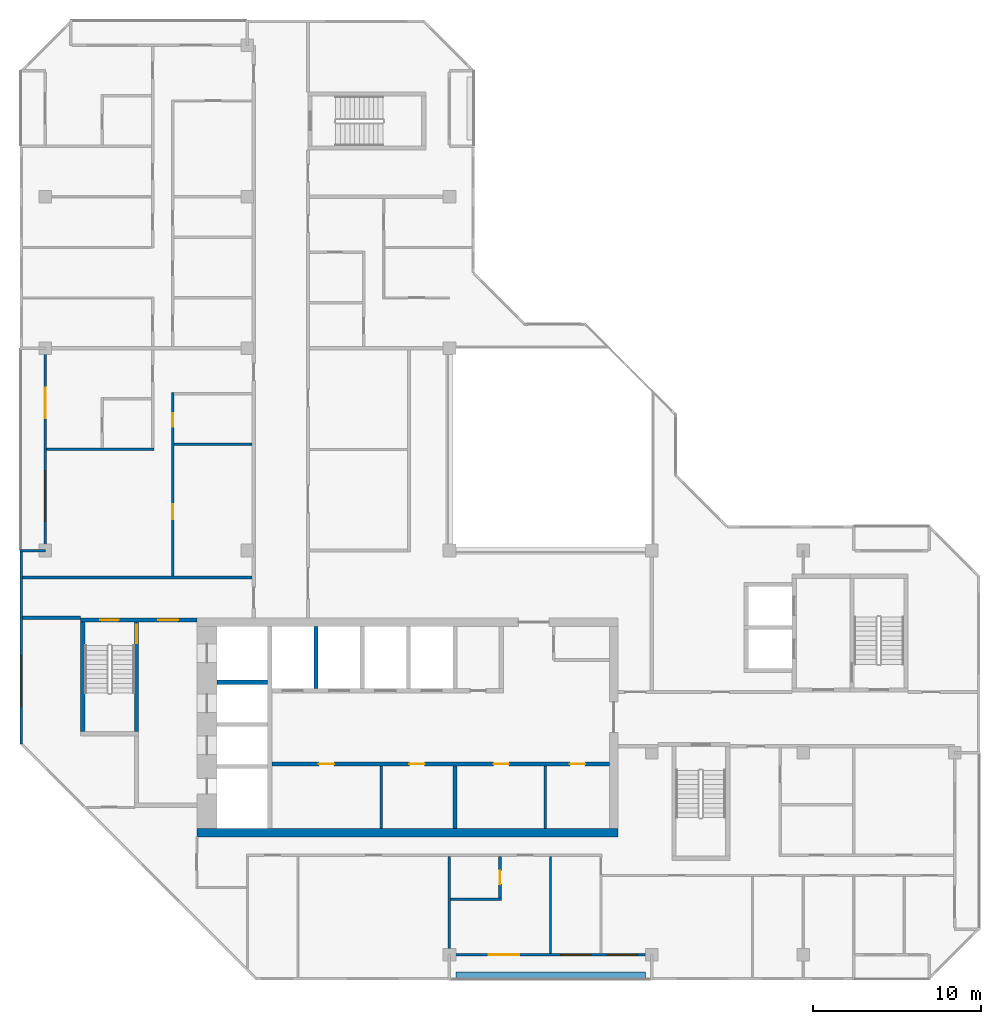
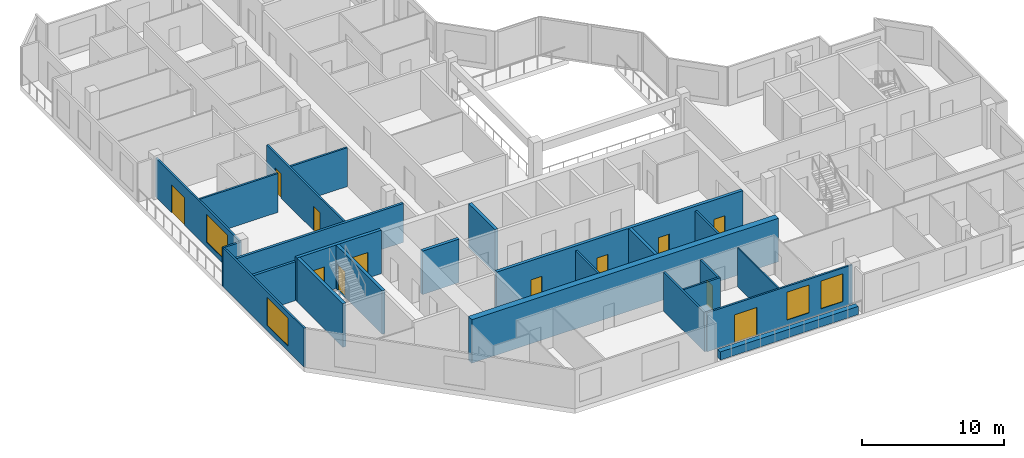
# One storey, part 4 of 12: 24 walls, 12 doors, 4 windows, 16 openings.
"""IFC4 building model written with IfcOpenShell, lengths in metres."""

from ifc_helpers import new_model, si_unit, direction, frame, frame_2d, origin, place, context, subcontext, project, spatial, rectangle, extrude, material, layer, layer_set, type_object, element, fill, save


model = new_model("IFC4")

# Units and contexts
model_context = context("Model", 3, precision=1e-05, world=origin(), true_north=direction((0.0, 1.0)))
body_context = subcontext(model_context, "Body", "Model", "MODEL_VIEW")
ifc_project = project(units=[si_unit("LENGTHUNIT", "METRE"), si_unit("AREAUNIT", "SQUARE_METRE"), si_unit("VOLUMEUNIT", "CUBIC_METRE"), si_unit("PLANEANGLEUNIT", "RADIAN"), si_unit("MASSUNIT", "GRAM", prefix="KILO")], contexts=[model_context])

# Site, building, storey
site_placement = place(None, origin())
site = spatial("IfcSite", under=ifc_project, at=site_placement, CompositionType="ELEMENT")
building_placement = place(site_placement, origin())
building = spatial("IfcBuilding", under=site, at=building_placement, Name="Chenar Terraces", CompositionType="ELEMENT")
storey_placement = place(building_placement, frame((0.0, 0.0, 342.64990234375)))
storey = spatial("IfcBuildingStorey", under=building, at=storey_placement, Name="L79", CompositionType="ELEMENT", Elevation=342.64990234375)

# Walls
ifc_material_1 = material(Name="Gypsum board on steel studs", Category="steel")
ifc_layer_1 = layer(ifc_material_1, 0.14990234375)
ifc_layer_set_1 = layer_set([ifc_layer_1], Name="Gypsum board on steel studs")
wall_type_1 = type_object("IfcWallType", Name="Core partition 150 gypsum board", PredefinedType="PARTITIONING", material=ifc_layer_set_1)
for number, where, z_axis, x_axis, name in (
    (1, (19.949951171875, 7.5, 0.0), (0.0, 0.0, 1.0), (0.0, 1.0, 0.0), "Core partition CP1 freed bay wall"),
    (2, (29.699951171875, 7.5, 0.0), (0.0, 0.0, 1.0), (0.0, 1.0, 0.0), "Core partition CP1 freed bay wall"),
):
    element("IfcWall", number, at=place(storey_placement, frame(where, z_axis=z_axis, x_axis=x_axis)), inside=storey, type_object=wall_type_1, Name=name, PredefinedType="PARTITIONING", context=body_context, shape_type="SweptSolid", body=[
        extrude(rectangle(XDim=3.699951171875, YDim=0.14990234375, at=frame_2d((1.85009765625, 0.0))), origin(), (0.0, 0.0, 1.0), 3.35009765625),
    ])

# Wall, openings, doors
ifc_material_2 = material(Name="Concrete C50/60", Category="concrete")
ifc_layer_2 = layer(ifc_material_2, 0.25)
ifc_layer_set_2 = layer_set([ifc_layer_2], Name="Concrete C50/60")
wall_type_2 = type_object("IfcWallType", Name="Core wall 250 Concrete C50/60", PredefinedType="SHEAR", material=ifc_layer_set_2)
wall_1_placement = place(storey_placement, frame((13.449951171875, 11.324951171875, 0.0), z_axis=(0.0, 0.0, 1.0), x_axis=(1.0, 0.0, 0.0)))
wall_1 = element("IfcWall", 3, at=wall_1_placement, inside=storey, type_object=wall_type_2, Name="Core wall SF L79", PredefinedType="SHEAR", context=body_context, shape_type="SweptSolid", body=[
    extrude(rectangle(XDim=20.050048828125, YDim=0.25, at=frame_2d((10.02490234375, 0.0))), origin(), (0.0, 0.0, 1.0), 3.75),
])
opening_1_placement = place(wall_1_placement, frame((2.800048828125, 0.0, 0.0)))
opening_1 = element("IfcOpeningElement", 4, at=opening_1_placement, cuts=wall_1, Name="Opening DL79-C12", PredefinedType="OPENING", context=body_context, shape_type="SweptSolid", body=[
    extrude(rectangle(XDim=0.89990234375, YDim=2.10009765625, at=frame_2d((0.449951171875, 1.050048828125))), frame((0.0, 0.135009765625, 0.0), z_axis=(0.0, -1.0, 0.0), x_axis=(1.0, 0.0, 0.0)), (0.0, 0.0, 1.0), 0.27001953125),
])
opening_2_placement = place(wall_1_placement, frame((8.175048828125, 0.0, 0.0)))
opening_2 = element("IfcOpeningElement", 5, at=opening_2_placement, cuts=wall_1, Name="Opening DL79-C13", PredefinedType="OPENING", context=body_context, shape_type="SweptSolid", body=[
    extrude(rectangle(XDim=0.89990234375, YDim=2.10009765625, at=frame_2d((0.449951171875, 1.050048828125))), frame((0.0, 0.135009765625, 0.0), z_axis=(0.0, -1.0, 0.0), x_axis=(1.0, 0.0, 0.0)), (0.0, 0.0, 1.0), 0.27001953125),
])
opening_3_placement = place(wall_1_placement, frame((13.175048828125, 0.0, 0.0)))
opening_3 = element("IfcOpeningElement", 6, at=opening_3_placement, cuts=wall_1, Name="Opening DL79-C14", PredefinedType="OPENING", context=body_context, shape_type="SweptSolid", body=[
    extrude(rectangle(XDim=0.89990234375, YDim=2.10009765625, at=frame_2d((0.449951171875, 1.050048828125))), frame((0.0, 0.135009765625, 0.0), z_axis=(0.0, -1.0, 0.0), x_axis=(1.0, 0.0, 0.0)), (0.0, 0.0, 1.0), 0.27001953125),
])
opening_4_placement = place(wall_1_placement, frame((17.699951171875, 0.0, 0.0)))
opening_4 = element("IfcOpeningElement", 7, at=opening_4_placement, cuts=wall_1, Name="Opening DL79-C15", PredefinedType="OPENING", context=body_context, shape_type="SweptSolid", body=[
    extrude(rectangle(XDim=0.89990234375, YDim=2.10009765625, at=frame_2d((0.449951171875, 1.050048828125))), frame((0.0, 0.135009765625, 0.0), z_axis=(0.0, -1.0, 0.0), x_axis=(1.0, 0.0, 0.0)), (0.0, 0.0, 1.0), 0.27001953125),
])
ifc_material_3 = material(Name="Steel-framed fire-resisting door leaf", Category="steel")
door_type_1 = type_object("IfcDoorType", Name="Riser fire door FD60 900 x 2100", OperationType="SINGLE_SWING_LEFT", PredefinedType="DOOR", material=ifc_material_3)
door_1_placement = place(opening_1_placement, frame((0.89990234375, 0.0, 0.0), z_axis=(0.0, 0.0, 1.0), x_axis=(-1.0, 0.0, 0.0)))
door_1 = element("IfcDoor", 8, at=door_1_placement, inside=storey, type_object=door_type_1, Name="Core room door DL79-C12", OperationType="SINGLE_SWING_LEFT", OverallHeight=2.10009765625, OverallWidth=0.89990234375, PredefinedType="DOOR", context=body_context, shape_type="SweptSolid", body=[
    extrude(rectangle(XDim=0.89990234375, YDim=2.10009765625, at=frame_2d((0.449951171875, 1.050048828125))), frame((0.0, 0.02490234375, 0.0), z_axis=(0.0, -1.0, 0.0), x_axis=(1.0, 0.0, 0.0)), (0.0, 0.0, 1.0), 0.050048828125),
])
fill(opening_1, door_1)
door_2_placement = place(opening_2_placement, frame((0.89990234375, 0.0, 0.0), z_axis=(0.0, 0.0, 1.0), x_axis=(-1.0, 0.0, 0.0)))
door_2 = element("IfcDoor", 9, at=door_2_placement, inside=storey, type_object=door_type_1, Name="Core room door DL79-C13", OperationType="SINGLE_SWING_LEFT", OverallHeight=2.10009765625, OverallWidth=0.89990234375, PredefinedType="DOOR", context=body_context, shape_type="SweptSolid", body=[
    extrude(rectangle(XDim=0.89990234375, YDim=2.10009765625, at=frame_2d((0.449951171875, 1.050048828125))), frame((0.0, 0.02490234375, 0.0), z_axis=(0.0, -1.0, 0.0), x_axis=(1.0, 0.0, 0.0)), (0.0, 0.0, 1.0), 0.050048828125),
])
fill(opening_2, door_2)
door_3_placement = place(opening_3_placement, frame((0.89990234375, 0.0, 0.0), z_axis=(0.0, 0.0, 1.0), x_axis=(-1.0, 0.0, 0.0)))
door_3 = element("IfcDoor", 10, at=door_3_placement, inside=storey, type_object=door_type_1, Name="Core room door DL79-C14", OperationType="SINGLE_SWING_LEFT", OverallHeight=2.10009765625, OverallWidth=0.89990234375, PredefinedType="DOOR", context=body_context, shape_type="SweptSolid", body=[
    extrude(rectangle(XDim=0.89990234375, YDim=2.10009765625, at=frame_2d((0.449951171875, 1.050048828125))), frame((0.0, 0.02490234375, 0.0), z_axis=(0.0, -1.0, 0.0), x_axis=(1.0, 0.0, 0.0)), (0.0, 0.0, 1.0), 0.050048828125),
])
fill(opening_3, door_3)
door_4_placement = place(opening_4_placement, frame((0.89990234375, 0.0, 0.0), z_axis=(0.0, 0.0, 1.0), x_axis=(-1.0, 0.0, 0.0)))
door_4 = element("IfcDoor", 11, at=door_4_placement, inside=storey, type_object=door_type_1, Name="Core room door DL79-C15", OperationType="SINGLE_SWING_RIGHT", OverallHeight=2.10009765625, OverallWidth=0.89990234375, PredefinedType="DOOR", context=body_context, shape_type="SweptSolid", body=[
    extrude(rectangle(XDim=0.89990234375, YDim=2.10009765625, at=frame_2d((0.449951171875, 1.050048828125))), frame((0.0, 0.02490234375, 0.0), z_axis=(0.0, -1.0, 0.0), x_axis=(1.0, 0.0, 0.0)), (0.0, 0.0, 1.0), 0.050048828125),
])
fill(opening_4, door_4)

# Walls
wall_2_placement = place(storey_placement, frame((10.199951171875, 16.175048828125, 0.0), z_axis=(0.0, 0.0, 1.0), x_axis=(1.0, 0.0, 0.0)))
element("IfcWall", 12, at=wall_2_placement, inside=storey, type_object=wall_type_2, Name="Core wall HW2 L79", PredefinedType="SHEAR", context=body_context, shape_type="SweptSolid", body=[
    extrude(rectangle(XDim=3.0, YDim=0.25, at=frame_2d((1.5, 0.0))), origin(), (0.0, 0.0, 1.0), 3.75),
])
for number, where, z_axis, x_axis, name in (
    (13, (24.324951171875, 7.5, 0.0), (0.0, 0.0, 1.0), (0.0, 1.0, 0.0), "Core wall SS3 L79"),
    (14, (16.074951171875, 15.800048828125, 0.0), (0.0, 0.0, 1.0), (0.0, 1.0, 0.0), "Core wall NS0 L79"),
):
    element("IfcWall", number, at=place(storey_placement, frame(where, z_axis=z_axis, x_axis=x_axis)), inside=storey, type_object=wall_type_2, Name=name, PredefinedType="SHEAR", context=body_context, shape_type="SweptSolid", body=[
        extrude(rectangle(XDim=3.699951171875, YDim=0.25, at=frame_2d((1.85009765625, 0.0))), origin(), (0.0, 0.0, 1.0), 3.75),
    ])

# Wall, openings, doors
wall_3_placement = place(storey_placement, frame((2.10009765625, 19.875, 0.0), z_axis=(0.0, 0.0, 1.0), x_axis=(1.0, 0.0, 0.0)))
wall_3 = element("IfcWall", 15, at=wall_3_placement, inside=storey, type_object=wall_type_2, Name="Core wall A_N L79", PredefinedType="SHEAR", context=body_context, shape_type="SweptSolid", body=[
    extrude(rectangle(XDim=6.89990234375, YDim=0.25, at=frame_2d((3.449951171875, 0.0))), origin(), (0.0, 0.0, 1.0), 3.75),
])
opening_5_placement = place(wall_3_placement, frame((1.175048828125, 0.0, 0.0)))
opening_5 = element("IfcOpeningElement", 16, at=opening_5_placement, cuts=wall_3, Name="Opening DL79-C5", PredefinedType="OPENING", context=body_context, shape_type="SweptSolid", body=[
    extrude(rectangle(XDim=1.10009765625, YDim=2.199951171875, at=frame_2d((0.550048828125, 1.10009765625))), frame((0.0, 0.135009765625, 0.0), z_axis=(0.0, -1.0, 0.0), x_axis=(1.0, 0.0, 0.0)), (0.0, 0.0, 1.0), 0.27001953125),
])
opening_6_placement = place(wall_3_placement, frame((4.60009765625, 0.0, 0.0)))
opening_6 = element("IfcOpeningElement", 17, at=opening_6_placement, cuts=wall_3, Name="Opening DL79-C6", PredefinedType="OPENING", context=body_context, shape_type="SweptSolid", body=[
    extrude(rectangle(XDim=1.199951171875, YDim=2.199951171875, at=frame_2d((0.60009765625, 1.10009765625))), frame((0.0, 0.135009765625, 0.0), z_axis=(0.0, -1.0, 0.0), x_axis=(1.0, 0.0, 0.0)), (0.0, 0.0, 1.0), 0.27001953125),
])
ifc_material_4 = material(Name="Steel-framed fire-resisting door leaf", Category="steel")
door_type_2 = type_object("IfcDoorType", Name="Lobby fire door FD60 1200 x 2200", OperationType="SINGLE_SWING_LEFT", PredefinedType="DOOR", material=ifc_material_4)
door_5_placement = place(opening_6_placement, frame((1.199951171875, 0.0, 0.0), z_axis=(0.0, 0.0, 1.0), x_axis=(-1.0, 0.0, 0.0)))
door_5 = element("IfcDoor", 18, at=door_5_placement, inside=storey, type_object=door_type_2, Name="Core door DL79-C6", OperationType="SINGLE_SWING_LEFT", OverallHeight=2.199951171875, OverallWidth=1.199951171875, PredefinedType="DOOR", context=body_context, shape_type="SweptSolid", body=[
    extrude(rectangle(XDim=1.199951171875, YDim=2.199951171875, at=frame_2d((0.60009765625, 1.10009765625))), frame((0.0, 0.02490234375, 0.0), z_axis=(0.0, -1.0, 0.0), x_axis=(1.0, 0.0, 0.0)), (0.0, 0.0, 1.0), 0.050048828125),
])
fill(opening_6, door_5)
ifc_material_5 = material(Name="Steel-framed fire-resisting door leaf", Category="steel")
door_type_3 = type_object("IfcDoorType", Name="Stair fire door FD60 1100 x 2200", OperationType="SINGLE_SWING_LEFT", PredefinedType="DOOR", material=ifc_material_5)
door_6_placement = place(opening_5_placement, origin())
door_6 = element("IfcDoor", 19, at=door_6_placement, inside=storey, type_object=door_type_3, Name="Stair door DL79-C5", OperationType="SINGLE_SWING_LEFT", OverallHeight=2.199951171875, OverallWidth=1.10009765625, PredefinedType="DOOR", context=body_context, shape_type="SweptSolid", body=[
    extrude(rectangle(XDim=1.10009765625, YDim=2.199951171875, at=frame_2d((0.550048828125, 1.10009765625))), frame((0.0, 0.02490234375, 0.0), z_axis=(0.0, -1.0, 0.0), x_axis=(1.0, 0.0, 0.0)), (0.0, 0.0, 1.0), 0.050048828125),
])
fill(opening_5, door_6)

# Wall
wall_4_placement = place(storey_placement, frame((2.22509765625, 13.25, 0.0), z_axis=(0.0, 0.0, 1.0), x_axis=(0.0, 1.0, 0.0)))
element("IfcWall", 20, at=wall_4_placement, inside=storey, type_object=wall_type_2, Name="Core wall ST1_W L79", PredefinedType="SHEAR", context=body_context, shape_type="SweptSolid", body=[
    extrude(rectangle(XDim=6.5, YDim=0.25, at=frame_2d((3.25, 0.0))), origin(), (0.0, 0.0, 1.0), 3.75),
])

# Wall, opening, door
wall_5_placement = place(storey_placement, frame((5.425048828125, 13.25, 0.0), z_axis=(0.0, 0.0, 1.0), x_axis=(0.0, 1.0, 0.0)))
wall_5 = element("IfcWall", 21, at=wall_5_placement, inside=storey, type_object=wall_type_2, Name="Core wall ST1_E L79", PredefinedType="SHEAR", context=body_context, shape_type="SweptSolid", body=[
    extrude(rectangle(XDim=6.5, YDim=0.25, at=frame_2d((3.25, 0.0))), origin(), (0.0, 0.0, 1.0), 3.75),
])
opening_7_placement = place(wall_5_placement, frame((5.25, 0.0, 0.0)))
opening_7 = element("IfcOpeningElement", 22, at=opening_7_placement, cuts=wall_5, Name="Opening DL79-C3", PredefinedType="OPENING", context=body_context, shape_type="SweptSolid", body=[
    extrude(rectangle(XDim=1.10009765625, YDim=2.199951171875, at=frame_2d((0.550048828125, 1.10009765625))), frame((0.0, 0.135009765625, 0.0), z_axis=(0.0, -1.0, 0.0), x_axis=(1.0, 0.0, 0.0)), (0.0, 0.0, 1.0), 0.27001953125),
])
door_7_placement = place(opening_7_placement, origin())
door_7 = element("IfcDoor", 23, at=door_7_placement, inside=storey, type_object=door_type_3, Name="Stair door DL79-C3", OperationType="SINGLE_SWING_RIGHT", OverallHeight=2.199951171875, OverallWidth=1.10009765625, PredefinedType="DOOR", context=body_context, shape_type="SweptSolid", body=[
    extrude(rectangle(XDim=1.10009765625, YDim=2.199951171875, at=frame_2d((0.550048828125, 1.10009765625))), frame((0.0, 0.02490234375, 0.0), z_axis=(0.0, -1.0, 0.0), x_axis=(1.0, 0.0, 0.0)), (0.0, 0.0, 1.0), 0.050048828125),
])
fill(opening_7, door_7)

# Walls
ifc_material_6 = material(Name="Concrete C50/60", Category="concrete")
ifc_layer_3 = layer(ifc_material_6, 0.5)
ifc_layer_set_3 = layer_set([ifc_layer_3], Name="Concrete C50/60")
wall_type_3 = type_object("IfcWallType", Name="Core wall 500 Concrete C50/60", PredefinedType="SHEAR", material=ifc_layer_set_3)
wall_6_placement = place(storey_placement, frame((9.0, 7.25, 0.0), z_axis=(0.0, 0.0, 1.0), x_axis=(1.0, 0.0, 0.0)))
element("IfcWall", 24, at=wall_6_placement, inside=storey, type_object=wall_type_3, Name="Core wall S L79", PredefinedType="SHEAR", context=body_context, shape_type="SweptSolid", body=[
    extrude(rectangle(XDim=25.0, YDim=0.5, at=frame_2d((12.5, 0.0))), origin(), (0.0, 0.0, 1.0), 3.75),
])
ifc_material_7 = material(Name="Gypsum board on steel studs with fire boards", Category="steel")
ifc_layer_4 = layer(ifc_material_7, 0.199951171875)
ifc_layer_set_4 = layer_set([ifc_layer_4], Name="Gypsum board on steel studs with fire boards")
wall_type_4 = type_object("IfcWallType", Name="Corridor wall 200", PredefinedType="PARTITIONING", material=ifc_layer_set_4)
wall_7_placement = place(storey_placement, frame((-1.35009765625, 20.0, 0.0), z_axis=(0.0, 0.0, 1.0), x_axis=(1.0, 0.0, 0.0)))
element("IfcWall", 25, at=wall_7_placement, inside=storey, type_object=wall_type_4, Name="Partition L79-001", PredefinedType="PARTITIONING", context=body_context, shape_type="SweptSolid", body=[
    extrude(rectangle(XDim=3.4501953125, YDim=0.199951171875, at=frame_2d((1.72509765625, 0.0))), origin(), (0.0, 0.0, 1.0), 3.35009765625),
])
wall_8_placement = place(storey_placement, frame((-1.35009765625, 22.39990234375, 0.0), z_axis=(0.0, 0.0, 1.0), x_axis=(1.0, 0.0, 0.0)))
element("IfcWall", 26, at=wall_8_placement, inside=storey, type_object=wall_type_4, Name="Partition L79-002", PredefinedType="PARTITIONING", context=body_context, shape_type="SweptSolid", body=[
    extrude(rectangle(XDim=13.625, YDim=0.199951171875, at=frame_2d((6.8125, 0.0))), origin(), (0.0, 0.0, 1.0), 3.35009765625),
])

# Wall, opening, window
ifc_material_8 = material(Name="Aluminium framed glazing", Category="aluminium")
ifc_layer_5 = layer(ifc_material_8, 0.14990234375)
ifc_layer_set_5 = layer_set([ifc_layer_5], Name="Aluminium framed glazing")
wall_type_5 = type_object("IfcWallType", Name="Glazed flush facade wall 150", PredefinedType="SOLIDWALL", material=ifc_layer_set_5)
wall_9_placement = place(storey_placement, frame((-1.425048828125, 23.925048828125, 0.0), z_axis=(0.0, 0.0, 1.0), x_axis=(0.0, -1.0, 0.0)))
wall_9 = element("IfcWall", 27, at=wall_9_placement, inside=storey, type_object=wall_type_5, Name="Glazed flush facade wall", PredefinedType="SOLIDWALL", context=body_context, shape_type="SweptSolid", body=[
    extrude(rectangle(XDim=11.425048828125, YDim=0.14990234375, at=frame_2d((5.71240234375, 0.0))), origin(), (0.0, 0.0, 1.0), 3.35009765625),
])
opening_8_placement = place(wall_9_placement, frame((6.175048828125, 0.0, 0.449951171875)))
opening_8 = element("IfcOpeningElement", 28, at=opening_8_placement, cuts=wall_9, Name="Opening W300x240", PredefinedType="OPENING", context=body_context, shape_type="SweptSolid", body=[
    extrude(rectangle(XDim=3.0, YDim=2.39990234375, at=frame_2d((1.5, 1.199951171875))), frame((0.0, 0.0849609375, 0.0), z_axis=(0.0, -1.0, 0.0), x_axis=(1.0, 0.0, 0.0)), (0.0, 0.0, 1.0), 0.169921875),
])
ifc_material_9 = material(Name="Low emissivity double glazing, aluminium frame", Category="aluminium")
window_type_1 = type_object("IfcWindowType", Name="Fixed light 3000 x 2400", PartitioningType="SINGLE_PANEL", PredefinedType="WINDOW", material=ifc_material_9)
window_1_placement = place(opening_8_placement, origin())
window_1 = element("IfcWindow", 29, at=window_1_placement, inside=storey, type_object=window_type_1, Name="Window", OverallHeight=2.39990234375, OverallWidth=3.0, PartitioningType="SINGLE_PANEL", PredefinedType="WINDOW", context=body_context, shape_type="SweptSolid", body=[
    extrude(rectangle(XDim=3.0, YDim=2.39990234375, at=frame_2d((1.5, 1.199951171875))), frame((0.0, 0.030029296875, 0.0), z_axis=(0.0, -1.0, 0.0), x_axis=(1.0, 0.0, 0.0)), (0.0, 0.0, 1.0), 0.06005859375),
])
fill(opening_8, window_1)

# Wall, openings, window, door
ifc_material_10 = material(Name="Aluminium framed glazing", Category="aluminium")
ifc_layer_6 = layer(ifc_material_10, 0.14990234375)
ifc_layer_set_6 = layer_set([ifc_layer_6], Name="Aluminium framed glazing")
wall_type_6 = type_object("IfcWallType", Name="Glazed loggia back wall 150", PredefinedType="SOLIDWALL", material=ifc_layer_set_6)
wall_10_placement = place(storey_placement, frame((0.0, 35.925048828125, 0.0), z_axis=(0.0, 0.0, 1.0), x_axis=(0.0, -1.0, 0.0)))
wall_10 = element("IfcWall", 30, at=wall_10_placement, inside=storey, type_object=wall_type_6, Name="Glazed loggia back wall", PredefinedType="SOLIDWALL", context=body_context, shape_type="SweptSolid", body=[
    extrude(rectangle(XDim=11.85009765625, YDim=0.14990234375, at=frame_2d((5.925048828125, 0.0))), origin(), (0.0, 0.0, 1.0), 3.35009765625),
])
opening_9_placement = place(wall_10_placement, frame((2.262451171875, 0.0, 0.0)))
opening_9 = element("IfcOpeningElement", 31, at=opening_9_placement, cuts=wall_10, Name="Opening DL79-G3", PredefinedType="OPENING", context=body_context, shape_type="SweptSolid", body=[
    extrude(rectangle(XDim=1.800048828125, YDim=2.39990234375, at=frame_2d((0.89990234375, 1.199951171875))), frame((0.0, 0.0849609375, 0.0), z_axis=(0.0, -1.0, 0.0), x_axis=(1.0, 0.0, 0.0)), (0.0, 0.0, 1.0), 0.169921875),
])
opening_10_placement = place(wall_10_placement, frame((7.1875, 0.0, 0.449951171875)))
opening_10 = element("IfcOpeningElement", 32, at=opening_10_placement, cuts=wall_10, Name="Opening W300x240", PredefinedType="OPENING", context=body_context, shape_type="SweptSolid", body=[
    extrude(rectangle(XDim=3.0, YDim=2.39990234375, at=frame_2d((1.5, 1.199951171875))), frame((0.0, 0.0849609375, 0.0), z_axis=(0.0, -1.0, 0.0), x_axis=(1.0, 0.0, 0.0)), (0.0, 0.0, 1.0), 0.169921875),
])
window_2_placement = place(opening_10_placement, origin())
window_2 = element("IfcWindow", 33, at=window_2_placement, inside=storey, type_object=window_type_1, Name="Window", OverallHeight=2.39990234375, OverallWidth=3.0, PartitioningType="SINGLE_PANEL", PredefinedType="WINDOW", context=body_context, shape_type="SweptSolid", body=[
    extrude(rectangle(XDim=3.0, YDim=2.39990234375, at=frame_2d((1.5, 1.199951171875))), frame((0.0, 0.030029296875, 0.0), z_axis=(0.0, -1.0, 0.0), x_axis=(1.0, 0.0, 0.0)), (0.0, 0.0, 1.0), 0.06005859375),
])
fill(opening_10, window_2)
ifc_material_11 = material(Name="Low emissivity double glazing, aluminium frame", Category="aluminium")
door_type_4 = type_object("IfcDoorType", Name="Loggia glazed double door 1800 x 2400", OperationType="DOUBLE_DOOR_SINGLE_SWING", PredefinedType="DOOR", material=ifc_material_11)
door_8_placement = place(opening_9_placement, frame((1.800048828125, 0.0, 0.0), z_axis=(0.0, 0.0, 1.0), x_axis=(-1.0, 0.0, 0.0)))
door_8 = element("IfcDoor", 34, at=door_8_placement, inside=storey, type_object=door_type_4, Name="Loggia glazed door", OperationType="DOUBLE_DOOR_SINGLE_SWING", OverallHeight=2.39990234375, OverallWidth=1.800048828125, PredefinedType="DOOR", context=body_context, shape_type="SweptSolid", body=[
    extrude(rectangle(XDim=1.800048828125, YDim=2.39990234375, at=frame_2d((0.89990234375, 1.199951171875))), frame((0.0, 0.02490234375, 0.0), z_axis=(0.0, -1.0, 0.0), x_axis=(1.0, 0.0, 0.0)), (0.0, 0.0, 1.0), 0.050048828125),
])
fill(opening_9, door_8)

# Wall, openings, windows, door
wall_11_placement = place(storey_placement, frame((24.074951171875, 0.0, 0.0), z_axis=(0.0, 0.0, 1.0), x_axis=(1.0, 0.0, 0.0)))
wall_11 = element("IfcWall", 35, at=wall_11_placement, inside=storey, type_object=wall_type_6, Name="Glazed loggia back wall", PredefinedType="SOLIDWALL", context=body_context, shape_type="SweptSolid", body=[
    extrude(rectangle(XDim=11.85009765625, YDim=0.14990234375, at=frame_2d((5.925048828125, 0.0))), origin(), (0.0, 0.0, 1.0), 3.35009765625),
])
opening_11_placement = place(wall_11_placement, frame((2.262451171875, 0.0, 0.0)))
opening_11 = element("IfcOpeningElement", 36, at=opening_11_placement, cuts=wall_11, Name="Opening DL79-G4", PredefinedType="OPENING", context=body_context, shape_type="SweptSolid", body=[
    extrude(rectangle(XDim=1.800048828125, YDim=2.39990234375, at=frame_2d((0.89990234375, 1.199951171875))), frame((0.0, 0.0849609375, 0.0), z_axis=(0.0, -1.0, 0.0), x_axis=(1.0, 0.0, 0.0)), (0.0, 0.0, 1.0), 0.169921875),
])
opening_12_placement = place(wall_11_placement, frame((6.52490234375, 0.0, 0.449951171875)))
opening_12 = element("IfcOpeningElement", 37, at=opening_12_placement, cuts=wall_11, Name="Opening W180x240", PredefinedType="OPENING", context=body_context, shape_type="SweptSolid", body=[
    extrude(rectangle(XDim=1.800048828125, YDim=2.39990234375, at=frame_2d((0.89990234375, 1.199951171875))), frame((0.0, 0.0849609375, 0.0), z_axis=(0.0, -1.0, 0.0), x_axis=(1.0, 0.0, 0.0)), (0.0, 0.0, 1.0), 0.169921875),
])
opening_13_placement = place(wall_11_placement, frame((9.28759765625, 0.0, 0.449951171875)))
opening_13 = element("IfcOpeningElement", 38, at=opening_13_placement, cuts=wall_11, Name="Opening W180x240", PredefinedType="OPENING", context=body_context, shape_type="SweptSolid", body=[
    extrude(rectangle(XDim=1.800048828125, YDim=2.39990234375, at=frame_2d((0.89990234375, 1.199951171875))), frame((0.0, 0.0849609375, 0.0), z_axis=(0.0, -1.0, 0.0), x_axis=(1.0, 0.0, 0.0)), (0.0, 0.0, 1.0), 0.169921875),
])
ifc_material_12 = material(Name="Low emissivity double glazing, aluminium frame", Category="aluminium")
window_type_2 = type_object("IfcWindowType", Name="Fixed light 1800 x 2400", PartitioningType="SINGLE_PANEL", PredefinedType="WINDOW", material=ifc_material_12)
window_3_placement = place(opening_12_placement, origin())
window_3 = element("IfcWindow", 39, at=window_3_placement, inside=storey, type_object=window_type_2, Name="Window", OverallHeight=2.39990234375, OverallWidth=1.800048828125, PartitioningType="SINGLE_PANEL", PredefinedType="WINDOW", context=body_context, shape_type="SweptSolid", body=[
    extrude(rectangle(XDim=1.800048828125, YDim=2.39990234375, at=frame_2d((0.89990234375, 1.199951171875))), frame((0.0, 0.030029296875, 0.0), z_axis=(0.0, -1.0, 0.0), x_axis=(1.0, 0.0, 0.0)), (0.0, 0.0, 1.0), 0.06005859375),
])
fill(opening_12, window_3)
window_4_placement = place(opening_13_placement, origin())
window_4 = element("IfcWindow", 40, at=window_4_placement, inside=storey, type_object=window_type_2, Name="Window", OverallHeight=2.39990234375, OverallWidth=1.800048828125, PartitioningType="SINGLE_PANEL", PredefinedType="WINDOW", context=body_context, shape_type="SweptSolid", body=[
    extrude(rectangle(XDim=1.800048828125, YDim=2.39990234375, at=frame_2d((0.89990234375, 1.199951171875))), frame((0.0, 0.030029296875, 0.0), z_axis=(0.0, -1.0, 0.0), x_axis=(1.0, 0.0, 0.0)), (0.0, 0.0, 1.0), 0.06005859375),
])
fill(opening_13, window_4)
door_9_placement = place(opening_11_placement, frame((1.800048828125, 0.0, 0.0), z_axis=(0.0, 0.0, 1.0), x_axis=(-1.0, 0.0, 0.0)))
door_9 = element("IfcDoor", 41, at=door_9_placement, inside=storey, type_object=door_type_4, Name="Loggia glazed door", OperationType="DOUBLE_DOOR_SINGLE_SWING", OverallHeight=2.39990234375, OverallWidth=1.800048828125, PredefinedType="DOOR", context=body_context, shape_type="SweptSolid", body=[
    extrude(rectangle(XDim=1.800048828125, YDim=2.39990234375, at=frame_2d((0.89990234375, 1.199951171875))), frame((0.0, 0.02490234375, 0.0), z_axis=(0.0, -1.0, 0.0), x_axis=(1.0, 0.0, 0.0)), (0.0, 0.0, 1.0), 0.050048828125),
])
fill(opening_11, door_9)

# Walls
ifc_material_13 = material(Name="Gypsum board on steel studs", Category="steel")
ifc_layer_7 = layer(ifc_material_13, 0.10009765625)
ifc_layer_set_7 = layer_set([ifc_layer_7], Name="Gypsum board on steel studs")
wall_type_7 = type_object("IfcWallType", Name="Gypsum partition 100", PredefinedType="PARTITIONING", material=ifc_layer_set_7)
wall_12_placement = place(storey_placement, frame((30.0, 0.073974609375, 0.0), z_axis=(0.0, 0.0, 1.0), x_axis=(0.0, 1.0, 0.0)))
element("IfcWall", 42, at=wall_12_placement, inside=storey, type_object=wall_type_7, Name="Partition L79-047", PredefinedType="PARTITIONING", context=body_context, shape_type="SweptSolid", body=[
    extrude(rectangle(XDim=5.7509765625, YDim=0.10009765625, at=frame_2d((2.87548828125, 0.0))), origin(), (0.0, 0.0, 1.0), 3.35009765625),
])
ifc_material_14 = material(Name="Terracotta cladding on insulated backing", Category="masonry")
ifc_layer_8 = layer(ifc_material_14, 0.14990234375)
ifc_layer_set_8 = layer_set([ifc_layer_8], Name="Terracotta cladding on insulated backing")
wall_type_8 = type_object("IfcWallType", Name="Loggia return wall 150", PredefinedType="SOLIDWALL", material=ifc_layer_set_8)
wall_13_placement = place(storey_placement, frame((-1.5, 24.0, 0.0), z_axis=(0.0, 0.0, 1.0), x_axis=(1.0, 0.0, 0.0)))
element("IfcWall", 43, at=wall_13_placement, inside=storey, type_object=wall_type_8, Name="Loggia return wall", PredefinedType="SOLIDWALL", context=body_context, shape_type="SweptSolid", body=[
    extrude(rectangle(XDim=1.5, YDim=0.14990234375, at=frame_2d((0.75, 0.0))), origin(), (0.0, 0.0, 1.0), 3.35009765625),
])
ifc_material_15 = material(Name="GRP planter trough")
ifc_layer_9 = layer(ifc_material_15, 0.39990234375)
ifc_layer_set_9 = layer_set([ifc_layer_9], Name="GRP planter trough")
wall_type_9 = type_object("IfcWallType", Name="Vertical greenery planter 400", PredefinedType="SOLIDWALL", material=ifc_layer_set_9)
wall_14_placement = place(storey_placement, frame((24.375, -1.22900390625, 0.0), z_axis=(0.0, 0.0, 1.0), x_axis=(1.0, 0.0, 0.0)))
element("IfcWall", 44, at=wall_14_placement, inside=storey, type_object=wall_type_9, Name="Vertical greenery planter", PredefinedType="SOLIDWALL", context=body_context, shape_type="SweptSolid", body=[
    extrude(rectangle(XDim=11.25, YDim=0.39990234375, at=frame_2d((5.625, 0.0))), origin(), (0.0, 0.0, 1.0), 0.7001953125),
])
ifc_material_16 = material(Name="Moisture-resistant gypsum board on steel studs", Category="steel")
ifc_layer_10 = layer(ifc_material_16, 0.14990234375)
ifc_layer_set_10 = layer_set([ifc_layer_10], Name="Moisture-resistant gypsum board on steel studs")
wall_type_10 = type_object("IfcWallType", Name="Wet-room partition 150", PredefinedType="PARTITIONING", material=ifc_layer_set_10)
wall_15_placement = place(storey_placement, frame((0.073974609375, 30.0, 0.0), z_axis=(0.0, 0.0, 1.0), x_axis=(1.0, 0.0, 0.0)))
element("IfcWall", 45, at=wall_15_placement, inside=storey, type_object=wall_type_10, Name="Partition L79-008", PredefinedType="PARTITIONING", context=body_context, shape_type="SweptSolid", body=[
    extrude(rectangle(XDim=6.3759765625, YDim=0.14990234375, at=frame_2d((3.18798828125, 0.0))), origin(), (0.0, 0.0, 1.0), 3.35009765625),
])

# Wall, openings, doors
wall_16_placement = place(storey_placement, frame((7.574951171875, 22.5, 0.0), z_axis=(0.0, 0.0, 1.0), x_axis=(0.0, 1.0, 0.0)))
wall_16 = element("IfcWall", 46, at=wall_16_placement, inside=storey, type_object=wall_type_10, Name="Partition L79-017", PredefinedType="PARTITIONING", context=body_context, shape_type="SweptSolid", body=[
    extrude(rectangle(XDim=10.875, YDim=0.14990234375, at=frame_2d((5.4375, 0.0))), origin(), (0.0, 0.0, 1.0), 3.35009765625),
])
opening_14_placement = place(wall_16_placement, frame((8.85009765625, 0.0, 0.0)))
opening_14 = element("IfcOpeningElement", 47, at=opening_14_placement, cuts=wall_16, Name="Opening DL79-40", PredefinedType="OPENING", context=body_context, shape_type="SweptSolid", body=[
    extrude(rectangle(XDim=0.800048828125, YDim=2.10009765625, at=frame_2d((0.39990234375, 1.050048828125))), frame((0.0, 0.0849609375, 0.0), z_axis=(0.0, -1.0, 0.0), x_axis=(1.0, 0.0, 0.0)), (0.0, 0.0, 1.0), 0.169921875),
])
opening_15_placement = place(wall_16_placement, frame((3.35009765625, 0.0, 0.0)))
opening_15 = element("IfcOpeningElement", 48, at=opening_15_placement, cuts=wall_16, Name="Opening DL79-43", PredefinedType="OPENING", context=body_context, shape_type="SweptSolid", body=[
    extrude(rectangle(XDim=0.89990234375, YDim=2.10009765625, at=frame_2d((0.449951171875, 1.050048828125))), frame((0.0, 0.0849609375, 0.0), z_axis=(0.0, -1.0, 0.0), x_axis=(1.0, 0.0, 0.0)), (0.0, 0.0, 1.0), 0.169921875),
])
ifc_material_17 = material(Name="Veneered timber door leaf", Category="wood")
door_type_5 = type_object("IfcDoorType", Name="Door 800 x 2100", OperationType="SINGLE_SWING_LEFT", PredefinedType="DOOR", material=ifc_material_17)
door_10_placement = place(opening_14_placement, frame((0.800048828125, 0.0, 0.0), z_axis=(0.0, 0.0, 1.0), x_axis=(-1.0, 0.0, 0.0)))
door_10 = element("IfcDoor", 49, at=door_10_placement, inside=storey, type_object=door_type_5, Name="Door DL79-40", OperationType="SINGLE_SWING_RIGHT", OverallHeight=2.10009765625, OverallWidth=0.800048828125, PredefinedType="DOOR", context=body_context, shape_type="SweptSolid", body=[
    extrude(rectangle(XDim=0.800048828125, YDim=2.10009765625, at=frame_2d((0.39990234375, 1.050048828125))), frame((0.0, 0.02490234375, 0.0), z_axis=(0.0, -1.0, 0.0), x_axis=(1.0, 0.0, 0.0)), (0.0, 0.0, 1.0), 0.050048828125),
])
fill(opening_14, door_10)
ifc_material_18 = material(Name="Veneered timber door leaf", Category="wood")
door_type_6 = type_object("IfcDoorType", Name="Door 900 x 2100", OperationType="SINGLE_SWING_LEFT", PredefinedType="DOOR", material=ifc_material_18)
door_11_placement = place(opening_15_placement, frame((0.89990234375, 0.0, 0.0), z_axis=(0.0, 0.0, 1.0), x_axis=(-1.0, 0.0, 0.0)))
door_11 = element("IfcDoor", 50, at=door_11_placement, inside=storey, type_object=door_type_6, Name="Door DL79-43", OperationType="SINGLE_SWING_LEFT", OverallHeight=2.10009765625, OverallWidth=0.89990234375, PredefinedType="DOOR", context=body_context, shape_type="SweptSolid", body=[
    extrude(rectangle(XDim=0.89990234375, YDim=2.10009765625, at=frame_2d((0.449951171875, 1.050048828125))), frame((0.0, 0.02490234375, 0.0), z_axis=(0.0, -1.0, 0.0), x_axis=(1.0, 0.0, 0.0)), (0.0, 0.0, 1.0), 0.050048828125),
])
fill(opening_15, door_11)

# Walls
wall_17_placement = place(storey_placement, frame((7.64990234375, 30.300048828125, 0.0), z_axis=(0.0, 0.0, 1.0), x_axis=(1.0, 0.0, 0.0)))
element("IfcWall", 51, at=wall_17_placement, inside=storey, type_object=wall_type_10, Name="Partition L79-019", PredefinedType="PARTITIONING", context=body_context, shape_type="SweptSolid", body=[
    extrude(rectangle(XDim=4.625, YDim=0.14990234375, at=frame_2d((2.3125, 0.0))), origin(), (0.0, 0.0, 1.0), 3.35009765625),
])
wall_18_placement = place(storey_placement, frame((24.0, 0.0, 0.0), z_axis=(0.0, 0.0, 1.0), x_axis=(0.0, 1.0, 0.0)))
element("IfcWall", 52, at=wall_18_placement, inside=storey, type_object=wall_type_10, Name="Partition L79-044", PredefinedType="PARTITIONING", context=body_context, shape_type="SweptSolid", body=[
    extrude(rectangle(XDim=5.824951171875, YDim=0.14990234375, at=frame_2d((2.91259765625, 0.0))), origin(), (0.0, 0.0, 1.0), 3.35009765625),
])
wall_19_placement = place(storey_placement, frame((24.074951171875, 3.300048828125, 0.0), z_axis=(0.0, 0.0, 1.0), x_axis=(1.0, 0.0, 0.0)))
element("IfcWall", 53, at=wall_19_placement, inside=storey, type_object=wall_type_10, Name="Partition L79-045", PredefinedType="PARTITIONING", context=body_context, shape_type="SweptSolid", body=[
    extrude(rectangle(XDim=3.0, YDim=0.14990234375, at=frame_2d((1.5, 0.0))), origin(), (0.0, 0.0, 1.0), 3.35009765625),
])

# Wall, opening, door
wall_20_placement = place(storey_placement, frame((27.0, 3.375, 0.0), z_axis=(0.0, 0.0, 1.0), x_axis=(0.0, 1.0, 0.0)))
wall_20 = element("IfcWall", 54, at=wall_20_placement, inside=storey, type_object=wall_type_10, Name="Partition L79-046", PredefinedType="PARTITIONING", context=body_context, shape_type="SweptSolid", body=[
    extrude(rectangle(XDim=2.449951171875, YDim=0.14990234375, at=frame_2d((1.22509765625, 0.0))), origin(), (0.0, 0.0, 1.0), 3.35009765625),
])
opening_16_placement = place(wall_20_placement, frame((0.824951171875, 0.0, 0.0)))
opening_16 = element("IfcOpeningElement", 55, at=opening_16_placement, cuts=wall_20, Name="Opening DL79-34", PredefinedType="OPENING", context=body_context, shape_type="SweptSolid", body=[
    extrude(rectangle(XDim=0.800048828125, YDim=2.10009765625, at=frame_2d((0.39990234375, 1.050048828125))), frame((0.0, 0.0849609375, 0.0), z_axis=(0.0, -1.0, 0.0), x_axis=(1.0, 0.0, 0.0)), (0.0, 0.0, 1.0), 0.169921875),
])
door_12_placement = place(opening_16_placement, origin())
door_12 = element("IfcDoor", 56, at=door_12_placement, inside=storey, type_object=door_type_5, Name="Door DL79-34", OperationType="SINGLE_SWING_RIGHT", OverallHeight=2.10009765625, OverallWidth=0.800048828125, PredefinedType="DOOR", context=body_context, shape_type="SweptSolid", body=[
    extrude(rectangle(XDim=0.800048828125, YDim=2.10009765625, at=frame_2d((0.39990234375, 1.050048828125))), frame((0.0, 0.02490234375, 0.0), z_axis=(0.0, -1.0, 0.0), x_axis=(1.0, 0.0, 0.0)), (0.0, 0.0, 1.0), 0.050048828125),
])
fill(opening_16, door_12)

save(model, "model.ifc")
